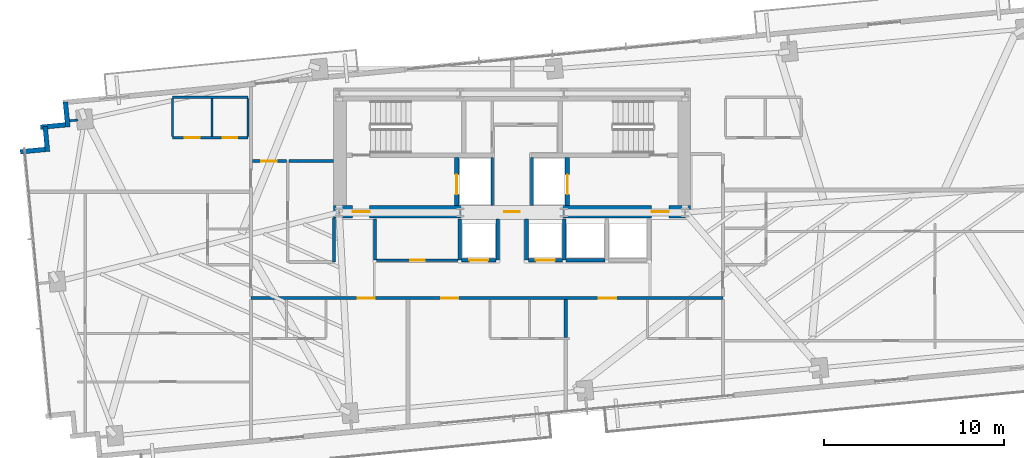
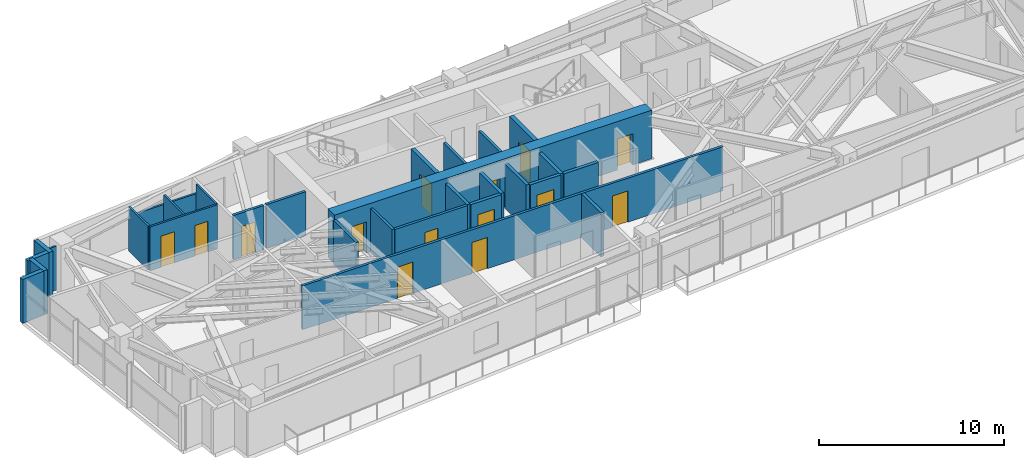
# One storey, part 22 of 27: 29 walls, 14 doors, 14 openings.
"""IFC4 building model written with IfcOpenShell, lengths in metres."""

from ifc_helpers import new_model, si_unit, direction, frame, frame_2d, origin, place, context, subcontext, project, spatial, rectangle, extrude, source, transform, mapped, material, layer, layer_set, type_object, type_shapes, element, fill, save


model = new_model("IFC4")

# Units and contexts
model_context = context("Model", 3, precision=1e-05, world=origin(), true_north=direction((0.0, 1.0)))
body_context = subcontext(model_context, "Body", "Model", "MODEL_VIEW")
ifc_project = project(units=[si_unit("LENGTHUNIT", "METRE"), si_unit("AREAUNIT", "SQUARE_METRE"), si_unit("VOLUMEUNIT", "CUBIC_METRE"), si_unit("PLANEANGLEUNIT", "RADIAN"), si_unit("MASSUNIT", "GRAM", prefix="KILO")], contexts=[model_context])

# Site, building, storey
site_placement = place(None, origin())
site = spatial("IfcSite", under=ifc_project, at=site_placement, CompositionType="ELEMENT")
building_placement = place(site_placement, origin())
building = spatial("IfcBuilding", under=site, at=building_placement, Name="Astriad Promenade Condominiums", CompositionType="ELEMENT")
storey_placement = place(building_placement, frame((0.0, 0.0, 116.199951171875)))
storey = spatial("IfcBuildingStorey", under=building, at=storey_placement, Name="L33", CompositionType="ELEMENT", Elevation=116.199951171875)

# Wall, openings, doors
ifc_material_1 = material(Name="Concrete C60/75", Category="concrete")
ifc_layer_1 = layer(ifc_material_1, 0.699951171875)
ifc_layer_set_1 = layer_set([ifc_layer_1], Name="Concrete C60/75")
wall_type_1 = type_object("IfcWallType", Name="CW-SHEAR-700", PredefinedType="SHEAR", material=ifc_layer_set_1)
wall_1_placement = place(storey_placement, frame((26.10009765625, 17.449951171875, 0.0), z_axis=(0.0, 0.0, 1.0), x_axis=(1.0, 0.0, 0.0)))
wall_1 = element("IfcWall", 1, at=wall_1_placement, inside=storey, type_object=wall_type_1, Name="CW-CORE-S-L33", PredefinedType="SHEAR", context=body_context, shape_type="SweptSolid", body=[
    extrude(rectangle(XDim=19.7998046875, YDim=0.699951171875, at=frame_2d((9.89990234375, 0.0))), origin(), (0.0, 0.0, 1.0), 3.199951171875),
])
opening_1_placement = place(wall_1_placement, frame((1.050048828125, 0.0, 0.0)))
opening_1 = element("IfcOpeningElement", 2, at=opening_1_placement, cuts=wall_1, Name="Opening FD90-ST-095", PredefinedType="OPENING", context=body_context, shape_type="SweptSolid", body=[
    extrude(rectangle(XDim=0.949951171875, YDim=2.06005859375, at=frame_2d((0.47509765625, 1.030029296875))), frame((0.0, 0.35986328125, 0.0), z_axis=(0.0, -1.0, 0.0), x_axis=(1.0, 0.0, 0.0)), (0.0, 0.0, 1.0), 0.719970703125),
])
opening_2_placement = place(wall_1_placement, frame((9.47998046875, 0.0, 0.0)))
opening_2 = element("IfcOpeningElement", 3, at=opening_2_placement, cuts=wall_1, Name="Opening FD60-ULOW-085", PredefinedType="OPENING", context=body_context, shape_type="SweptSolid", body=[
    extrude(rectangle(XDim=0.85009765625, YDim=2.0, at=frame_2d((0.425048828125, 1.0))), frame((0.0, 0.35986328125, 0.0), z_axis=(0.0, -1.0, 0.0), x_axis=(1.0, 0.0, 0.0)), (0.0, 0.0, 1.0), 0.719970703125),
])
opening_3_placement = place(wall_1_placement, frame((17.64990234375, 0.0, 0.0)))
opening_3 = element("IfcOpeningElement", 4, at=opening_3_placement, cuts=wall_1, Name="Opening FD90-ST-095", PredefinedType="OPENING", context=body_context, shape_type="SweptSolid", body=[
    extrude(rectangle(XDim=0.949951171875, YDim=2.06005859375, at=frame_2d((0.47509765625, 1.030029296875))), frame((0.0, 0.35986328125, 0.0), z_axis=(0.0, -1.0, 0.0), x_axis=(1.0, 0.0, 0.0)), (0.0, 0.0, 1.0), 0.719970703125),
])
ifc_material_2 = material(Name="Fire-Rated Hollow Metal Stair Door")
door_type_1 = type_object("IfcDoorType", Name="FD90-ST-095", OperationType="NOTDEFINED", PredefinedType="DOOR", material=ifc_material_2)
shared_shape_1 = source(origin(), body_context, "Body", "SweptSolid", [
    extrude(rectangle(XDim=0.949951171875, YDim=2.06005859375, at=frame_2d((0.47509765625, 1.030029296875))), frame((0.0, 0.02490234375, 0.0), z_axis=(0.0, -1.0, 0.0), x_axis=(1.0, 0.0, 0.0)), (0.0, 0.0, 1.0), 0.050048828125),
])
type_shapes(door_type_1, [shared_shape_1])
door_1_placement = place(opening_1_placement, origin())
door_1 = element("IfcDoor", 5, at=door_1_placement, inside=storey, type_object=door_type_1, Name="D-FFW-L33", OperationType="SINGLE_SWING_LEFT", OverallHeight=2.06005859375, OverallWidth=0.949951171875, PredefinedType="DOOR", context=body_context, shape_type="MappedRepresentation", body=[
    mapped(shared_shape_1, transform((0.0, 0.0, 0.0), scale=1.0)),
])
fill(opening_1, door_1)
door_2_placement = place(opening_3_placement, origin())
door_2 = element("IfcDoor", 6, at=door_2_placement, inside=storey, type_object=door_type_1, Name="D-FFE-L33", OperationType="SINGLE_SWING_RIGHT", OverallHeight=2.06005859375, OverallWidth=0.949951171875, PredefinedType="DOOR", context=body_context, shape_type="MappedRepresentation", body=[
    mapped(shared_shape_1, transform((0.0, 0.0, 0.0), scale=1.0)),
])
fill(opening_3, door_2)
ifc_material_3 = material(Name="Solid-Core Low-Headroom Fire Door")
door_type_2 = type_object("IfcDoorType", Name="FD60-ULOW-085", OperationType="NOTDEFINED", PredefinedType="DOOR", material=ifc_material_3)
shared_shape_2 = source(origin(), body_context, "Body", "SweptSolid", [
    extrude(rectangle(XDim=0.85009765625, YDim=2.0, at=frame_2d((0.425048828125, 1.0))), frame((0.0, 0.02490234375, 0.0), z_axis=(0.0, -1.0, 0.0), x_axis=(1.0, 0.0, 0.0)), (0.0, 0.0, 1.0), 0.050048828125),
])
type_shapes(door_type_2, [shared_shape_2])
door_3_placement = place(opening_2_placement, origin())
door_3 = element("IfcDoor", 7, at=door_3_placement, inside=storey, type_object=door_type_2, Name="D-CSL-L33", OperationType="SINGLE_SWING_RIGHT", OverallHeight=2.0, OverallWidth=0.85009765625, PredefinedType="DOOR", context=body_context, shape_type="MappedRepresentation", body=[
    mapped(shared_shape_2, transform((0.0, 0.0, 0.0), scale=1.0)),
])
fill(opening_2, door_3)

# Wall, opening, door
ifc_material_4 = material(Name="Concrete C50/60", Category="concrete")
ifc_layer_2 = layer(ifc_material_4, 0.25)
ifc_layer_set_2 = layer_set([ifc_layer_2], Name="Concrete C50/60")
wall_type_2 = type_object("IfcWallType", Name="WALL-CORE-INT-250", PredefinedType="SOLIDWALL", material=ifc_layer_set_2)
wall_2_placement = place(storey_placement, frame((32.925048828125, 17.802001953125, 0.0), z_axis=(0.0, 0.0, 1.0), x_axis=(0.0, 1.0, 0.0)))
wall_2 = element("IfcWall", 8, at=wall_2_placement, inside=storey, type_object=wall_type_2, Name="CW-FFL1-W-L33", PredefinedType="SOLIDWALL", context=body_context, shape_type="SweptSolid", body=[
    extrude(rectangle(XDim=2.64599609375, YDim=0.25, at=frame_2d((1.322998046875, 0.0))), origin(), (0.0, 0.0, 1.0), 3.199951171875),
])
opening_4_placement = place(wall_2_placement, frame((0.597900390625, 0.0, 0.0)))
opening_4 = element("IfcOpeningElement", 9, at=opening_4_placement, cuts=wall_2, Name="Opening LD-FFL-1122", PredefinedType="OPENING", context=body_context, shape_type="SweptSolid", body=[
    extrude(rectangle(XDim=1.10009765625, YDim=2.080078125, at=frame_2d((0.550048828125, 1.0400390625))), frame((0.0, 0.135009765625, 0.0), z_axis=(0.0, -1.0, 0.0), x_axis=(1.0, 0.0, 0.0)), (0.0, 0.0, 1.0), 0.27001953125),
])
ifc_material_5 = material(Name="Brushed Stainless Steel Fire Elevator Landing Door", Category="steel")
door_type_3 = type_object("IfcDoorType", Name="LD-FFL-1122", OperationType="NOTDEFINED", PredefinedType="DOOR", material=ifc_material_5)
shared_shape_3 = source(origin(), body_context, "Body", "SweptSolid", [
    extrude(rectangle(XDim=1.10009765625, YDim=2.080078125, at=frame_2d((0.550048828125, 1.0400390625))), frame((0.0, 0.02490234375, 0.0), z_axis=(0.0, -1.0, 0.0), x_axis=(1.0, 0.0, 0.0)), (0.0, 0.0, 1.0), 0.050048828125),
])
type_shapes(door_type_3, [shared_shape_3])
door_4_placement = place(opening_4_placement, origin())
door_4 = element("IfcDoor", 10, at=door_4_placement, inside=storey, type_object=door_type_3, Name="Elevator Landing Door FFL-1 (L33)", OperationType="SLIDING_TO_LEFT", OverallHeight=2.080078125, OverallWidth=1.10009765625, PredefinedType="DOOR", context=body_context, shape_type="MappedRepresentation", body=[
    mapped(shared_shape_3, transform((0.0, 0.0, 0.0), scale=1.0)),
])
fill(opening_4, door_4)

wall_3_placement = place(storey_placement, frame((39.074951171875, 17.802001953125, 0.0), z_axis=(0.0, 0.0, 1.0), x_axis=(0.0, 1.0, 0.0)))
wall_3 = element("IfcWall", 11, at=wall_3_placement, inside=storey, type_object=wall_type_2, Name="CW-FFL2-E-L33", PredefinedType="SOLIDWALL", context=body_context, shape_type="SweptSolid", body=[
    extrude(rectangle(XDim=2.64599609375, YDim=0.25, at=frame_2d((1.322998046875, 0.0))), origin(), (0.0, 0.0, 1.0), 3.199951171875),
])
opening_5_placement = place(wall_3_placement, frame((0.597900390625, 0.0, 0.0)))
opening_5 = element("IfcOpeningElement", 12, at=opening_5_placement, cuts=wall_3, Name="Opening LD-FFL-1122", PredefinedType="OPENING", context=body_context, shape_type="SweptSolid", body=[
    extrude(rectangle(XDim=1.10009765625, YDim=2.080078125, at=frame_2d((0.550048828125, 1.0400390625))), frame((0.0, 0.135009765625, 0.0), z_axis=(0.0, -1.0, 0.0), x_axis=(1.0, 0.0, 0.0)), (0.0, 0.0, 1.0), 0.27001953125),
])
door_5_placement = place(opening_5_placement, origin())
door_5 = element("IfcDoor", 13, at=door_5_placement, inside=storey, type_object=door_type_3, Name="Elevator Landing Door FFL-2 (L33)", OperationType="SLIDING_TO_RIGHT", OverallHeight=2.080078125, OverallWidth=1.10009765625, PredefinedType="DOOR", context=body_context, shape_type="MappedRepresentation", body=[
    mapped(shared_shape_3, transform((0.0, 0.0, 0.0), scale=1.0)),
])
fill(opening_5, door_5)

# Walls
ifc_material_6 = material(Name="Fire-Rated Gypsum Partition")
ifc_layer_3 = layer(ifc_material_6, 0.159912109375)
ifc_layer_set_3 = layer_set([ifc_layer_3], Name="Fire-Rated Gypsum Partition")
wall_type_3 = type_object("IfcWallType", Name="WALL-CORR-160", PredefinedType="PARTITIONING", material=ifc_layer_set_3)
for number, where, z_axis, x_axis, name in (
    (14, (34.89990234375, 17.802001953125, 0.0), (0.0, 0.0, 1.0), (0.0, 1.0, 0.0), "CW-FFL1-E-L33"),
    (15, (37.10009765625, 17.802001953125, 0.0), (0.0, 0.0, 1.0), (0.0, 1.0, 0.0), "CW-FFL2-W-L33"),
):
    element("IfcWall", number, at=place(storey_placement, frame(where, z_axis=z_axis, x_axis=x_axis)), inside=storey, type_object=wall_type_3, Name=name, PredefinedType="PARTITIONING", context=body_context, shape_type="SweptSolid", body=[
        extrude(rectangle(XDim=2.64599609375, YDim=0.159912109375, at=frame_2d((1.322998046875, 0.0))), origin(), (0.0, 0.0, 1.0), 2.900146484375),
    ])
wall_4_placement = place(storey_placement, frame((28.39990234375, 14.75, 0.0), z_axis=(0.0, 0.0, 1.0), x_axis=(0.0, 1.0, 0.0)))
element("IfcWall", 16, at=wall_4_placement, inside=storey, type_object=wall_type_3, Name="REC-L-W-L33", PredefinedType="PARTITIONING", context=body_context, shape_type="SweptSolid", body=[
    extrude(rectangle(XDim=2.300048828125, YDim=0.159912109375, at=frame_2d((1.14990234375, 0.0))), origin(), (0.0, 0.0, 1.0), 2.900146484375),
])

# Wall, opening, door
wall_5_placement = place(storey_placement, frame((28.48193359375, 14.75, 0.0), z_axis=(0.0, 0.0, 1.0), x_axis=(1.0, 0.0, 0.0)))
wall_5 = element("IfcWall", 17, at=wall_5_placement, inside=storey, type_object=wall_type_3, Name="REC-L-S-L33", PredefinedType="PARTITIONING", context=body_context, shape_type="SweptSolid", body=[
    extrude(rectangle(XDim=4.51611328125, YDim=0.159912109375, at=frame_2d((2.258056640625, 0.0))), origin(), (0.0, 0.0, 1.0), 2.900146484375),
])
opening_6_placement = place(wall_5_placement, frame((1.867919921875, 0.0, 0.0)))
opening_6 = element("IfcOpeningElement", 18, at=opening_6_placement, cuts=wall_5, Name="Opening FD60-SV-080", PredefinedType="OPENING", context=body_context, shape_type="SweptSolid", body=[
    extrude(rectangle(XDim=0.800048828125, YDim=2.050048828125, at=frame_2d((0.39990234375, 1.02490234375))), frame((0.0, 0.08984375, 0.0), z_axis=(0.0, -1.0, 0.0), x_axis=(1.0, 0.0, 0.0)), (0.0, 0.0, 1.0), 0.179931640625),
])
ifc_material_7 = material(Name="Fire-Rated Riser Closet Door")
door_type_4 = type_object("IfcDoorType", Name="FD60-SV-080", OperationType="NOTDEFINED", PredefinedType="DOOR", material=ifc_material_7)
shared_shape_4 = source(origin(), body_context, "Body", "SweptSolid", [
    extrude(rectangle(XDim=0.800048828125, YDim=2.050048828125, at=frame_2d((0.39990234375, 1.02490234375))), frame((0.0, 0.02490234375, 0.0), z_axis=(0.0, -1.0, 0.0), x_axis=(1.0, 0.0, 0.0)), (0.0, 0.0, 1.0), 0.050048828125),
])
type_shapes(door_type_4, [shared_shape_4])
door_6_placement = place(opening_6_placement, origin())
door_6 = element("IfcDoor", 19, at=door_6_placement, inside=storey, type_object=door_type_4, Name="D-RECL-L33", OperationType="SINGLE_SWING_LEFT", OverallHeight=2.050048828125, OverallWidth=0.800048828125, PredefinedType="DOOR", context=body_context, shape_type="MappedRepresentation", body=[
    mapped(shared_shape_4, transform((0.0, 0.0, 0.0), scale=1.0)),
])
fill(opening_6, door_6)

# Wall, openings, doors
wall_6_placement = place(storey_placement, frame((21.5, 12.64990234375, 0.0), z_axis=(0.0, 0.0, 1.0), x_axis=(1.0, 0.0, 0.0)))
wall_6 = element("IfcWall", 20, at=wall_6_placement, inside=storey, type_object=wall_type_3, Name="PT-COR-S-L33", PredefinedType="PARTITIONING", context=body_context, shape_type="SweptSolid", body=[
    extrude(rectangle(XDim=26.199951171875, YDim=0.159912109375, at=frame_2d((13.10009765625, 0.0))), origin(), (0.0, 0.0, 1.0), 2.900146484375),
])
opening_7_placement = place(wall_6_placement, frame((5.927001953125, 0.0, 0.0)))
opening_7 = element("IfcOpeningElement", 21, at=opening_7_placement, cuts=wall_6, Name="Opening FD60-APT-095", PredefinedType="OPENING", context=body_context, shape_type="SweptSolid", body=[
    extrude(rectangle(XDim=0.949951171875, YDim=2.06005859375, at=frame_2d((0.47509765625, 1.030029296875))), frame((0.0, 0.08984375, 0.0), z_axis=(0.0, -1.0, 0.0), x_axis=(1.0, 0.0, 0.0)), (0.0, 0.0, 1.0), 0.179931640625),
])
opening_8_placement = place(wall_6_placement, frame((10.574951171875, 0.0, 0.0)))
opening_8 = element("IfcOpeningElement", 22, at=opening_8_placement, cuts=wall_6, Name="Opening FD60-APT-095", PredefinedType="OPENING", context=body_context, shape_type="SweptSolid", body=[
    extrude(rectangle(XDim=0.949951171875, YDim=2.06005859375, at=frame_2d((0.47509765625, 1.030029296875))), frame((0.0, 0.08984375, 0.0), z_axis=(0.0, -1.0, 0.0), x_axis=(1.0, 0.0, 0.0)), (0.0, 0.0, 1.0), 0.179931640625),
])
opening_9_placement = place(wall_6_placement, frame((19.322021484375, 0.0, 0.0)))
opening_9 = element("IfcOpeningElement", 23, at=opening_9_placement, cuts=wall_6, Name="Opening FD60-APT-095", PredefinedType="OPENING", context=body_context, shape_type="SweptSolid", body=[
    extrude(rectangle(XDim=0.949951171875, YDim=2.06005859375, at=frame_2d((0.47509765625, 1.030029296875))), frame((0.0, 0.08984375, 0.0), z_axis=(0.0, -1.0, 0.0), x_axis=(1.0, 0.0, 0.0)), (0.0, 0.0, 1.0), 0.179931640625),
])
ifc_material_8 = material(Name="Solid-Core Acoustic Timber Residence Entry Door", Category="wood")
door_type_5 = type_object("IfcDoorType", Name="FD60-APT-095", OperationType="NOTDEFINED", PredefinedType="DOOR", material=ifc_material_8)
shared_shape_5 = source(origin(), body_context, "Body", "SweptSolid", [
    extrude(rectangle(XDim=0.949951171875, YDim=2.06005859375, at=frame_2d((0.47509765625, 1.030029296875))), frame((0.0, 0.02490234375, 0.0), z_axis=(0.0, -1.0, 0.0), x_axis=(1.0, 0.0, 0.0)), (0.0, 0.0, 1.0), 0.050048828125),
])
type_shapes(door_type_5, [shared_shape_5])
door_7_placement = place(opening_7_placement, origin())
door_7 = element("IfcDoor", 24, at=door_7_placement, inside=storey, type_object=door_type_5, Name="D-ENT-L33-S1", OperationType="SINGLE_SWING_RIGHT", OverallHeight=2.06005859375, OverallWidth=0.949951171875, PredefinedType="DOOR", context=body_context, shape_type="MappedRepresentation", body=[
    mapped(shared_shape_5, transform((0.0, 0.0, 0.0), scale=1.0)),
])
fill(opening_7, door_7)
door_8_placement = place(opening_8_placement, origin())
door_8 = element("IfcDoor", 25, at=door_8_placement, inside=storey, type_object=door_type_5, Name="D-ENT-L33-S2", OperationType="SINGLE_SWING_LEFT", OverallHeight=2.06005859375, OverallWidth=0.949951171875, PredefinedType="DOOR", context=body_context, shape_type="MappedRepresentation", body=[
    mapped(shared_shape_5, transform((0.0, 0.0, 0.0), scale=1.0)),
])
fill(opening_8, door_8)
door_9_placement = place(opening_9_placement, origin())
door_9 = element("IfcDoor", 26, at=door_9_placement, inside=storey, type_object=door_type_5, Name="D-ENT-L33-S3", OperationType="SINGLE_SWING_RIGHT", OverallHeight=2.06005859375, OverallWidth=0.949951171875, PredefinedType="DOOR", context=body_context, shape_type="MappedRepresentation", body=[
    mapped(shared_shape_5, transform((0.0, 0.0, 0.0), scale=1.0)),
])
fill(opening_9, door_9)

# Wall, opening, door
wall_7_placement = place(storey_placement, frame((21.58203125, 20.25, 0.0), z_axis=(0.0, 0.0, 1.0), x_axis=(1.0, 0.0, 0.0)))
wall_7 = element("IfcWall", 27, at=wall_7_placement, inside=storey, type_object=wall_type_3, Name="PT-HK-N-L33", PredefinedType="PARTITIONING", context=body_context, shape_type="SweptSolid", body=[
    extrude(rectangle(XDim=1.885986328125, YDim=0.159912109375, at=frame_2d((0.94287109375, 0.0))), origin(), (0.0, 0.0, 1.0), 2.900146484375),
])
opening_10_placement = place(wall_7_placement, frame((0.508056640625, 0.0, 0.0)))
opening_10 = element("IfcOpeningElement", 28, at=opening_10_placement, cuts=wall_7, Name="Opening FD60-ULOW-085", PredefinedType="OPENING", context=body_context, shape_type="SweptSolid", body=[
    extrude(rectangle(XDim=0.85009765625, YDim=2.0, at=frame_2d((0.425048828125, 1.0))), frame((0.0, 0.08984375, 0.0), z_axis=(0.0, -1.0, 0.0), x_axis=(1.0, 0.0, 0.0)), (0.0, 0.0, 1.0), 0.179931640625),
])
door_10_placement = place(opening_10_placement, origin())
door_10 = element("IfcDoor", 29, at=door_10_placement, inside=storey, type_object=door_type_2, Name="D-HKB-L33", OperationType="SINGLE_SWING_LEFT", OverallHeight=2.0, OverallWidth=0.85009765625, PredefinedType="DOOR", context=body_context, shape_type="MappedRepresentation", body=[
    mapped(shared_shape_2, transform((0.0, 0.0, 0.0), scale=1.0)),
])
fill(opening_10, door_10)

# Walls
wall_8_placement = place(storey_placement, frame((23.632080078125, 20.25, 0.0), z_axis=(0.0, 0.0, 1.0), x_axis=(1.0, 0.0, 0.0)))
element("IfcWall", 30, at=wall_8_placement, inside=storey, type_object=wall_type_3, Name="PT-HK-N-L33-S2", PredefinedType="PARTITIONING", context=body_context, shape_type="SweptSolid", body=[
    extrude(rectangle(XDim=2.4658203125, YDim=0.159912109375, at=frame_2d((1.23291015625, 0.0))), origin(), (0.0, 0.0, 1.0), 2.900146484375),
])
wall_9_placement = place(storey_placement, frame((26.1201171875, 14.659912109375, 0.0), z_axis=(0.0, 0.0, 1.0), x_axis=(0.0, 1.0, 0.0)))
element("IfcWall", 31, at=wall_9_placement, inside=storey, type_object=wall_type_3, Name="PT-WSPUR-W-L33", PredefinedType="PARTITIONING", context=body_context, shape_type="SweptSolid", body=[
    extrude(rectangle(XDim=2.43798828125, YDim=0.159912109375, at=frame_2d((1.218994140625, 0.0))), origin(), (0.0, 0.0, 1.0), 2.900146484375),
])
ifc_material_9 = material(Name="Acoustic Double-Stud Gypsum Partition")
ifc_layer_4 = layer(ifc_material_9, 0.199951171875)
ifc_layer_set_4 = layer_set([ifc_layer_4], Name="Acoustic Double-Stud Gypsum Partition")
wall_type_4 = type_object("IfcWallType", Name="WALL-DEMISING-200", PredefinedType="PARTITIONING", material=ifc_layer_set_4)
wall_10_placement = place(storey_placement, frame((38.97509765625, 10.4619140625, 0.0), z_axis=(0.0, 0.0, 1.0), x_axis=(0.0, 1.0, 0.0)))
element("IfcWall", 32, at=wall_10_placement, inside=storey, type_object=wall_type_4, Name="PT-DEM-S2-L33-S2", PredefinedType="PARTITIONING", context=body_context, shape_type="SweptSolid", body=[
    extrude(rectangle(XDim=2.106201171875, YDim=0.199951171875, at=frame_2d((1.05322265625, 0.0))), origin(), (0.0, 0.0, 1.0), 2.900146484375),
])
ifc_material_10 = material(Name="Precast concrete C50/60", Category="concrete")
ifc_layer_5 = layer(ifc_material_10, 0.260009765625)
ifc_layer_set_5 = layer_set([ifc_layer_5], Name="Precast concrete C50/60")
wall_type_5 = type_object("IfcWallType", Name="WALL-EXT-TWR-260", PredefinedType="STANDARD", material=ifc_layer_set_5)
for number, where, z_axis, x_axis, name in (
    (33, (8.701416015625, 20.767333984375, 0.0), (0.0, 0.0, 1.0), (0.995391056452, 0.09589913835, 0.0), "W-SER-L33-04"),
    (34, (10.216796875, 20.78271484375, 0.0), (0.0, 0.0, 1.0), (-0.095725744959, 0.99540774648, 0.0), "W-SER-L33-05"),
):
    element("IfcWall", number, at=place(storey_placement, frame(where, z_axis=z_axis, x_axis=x_axis)), inside=storey, type_object=wall_type_5, Name=name, PredefinedType="STANDARD", context=body_context, shape_type="SweptSolid", body=[
        extrude(rectangle(XDim=1.39501953125, YDim=0.260009765625, at=frame_2d((0.697509765625, 0.0))), origin(), (0.0, 0.0, 1.0), 2.900146484375),
    ])
wall_11_placement = place(storey_placement, frame((9.825927734375, 22.13134765625, 0.0), z_axis=(0.0, 0.0, 1.0), x_axis=(0.995389446633, 0.095915846097, 0.0)))
element("IfcWall", 35, at=wall_11_placement, inside=storey, type_object=wall_type_5, Name="W-SER-L33-06", PredefinedType="STANDARD", context=body_context, shape_type="SweptSolid", body=[
    extrude(rectangle(XDim=1.394775390625, YDim=0.260009765625, at=frame_2d((0.697265625, 0.0))), origin(), (0.0, 0.0, 1.0), 2.900146484375),
])
wall_12_placement = place(storey_placement, frame((11.34130859375, 22.146728515625, 0.0), z_axis=(0.0, 0.0, 1.0), x_axis=(-0.09589913835, 0.995391056452, 0.0)))
element("IfcWall", 36, at=wall_12_placement, inside=storey, type_object=wall_type_5, Name="W-SER-L33-07", PredefinedType="STANDARD", context=body_context, shape_type="SweptSolid", body=[
    extrude(rectangle(XDim=1.39501953125, YDim=0.260009765625, at=frame_2d((0.697509765625, 0.0))), origin(), (0.0, 0.0, 1.0), 2.900146484375),
])

# Wall, openings, doors
ifc_material_11 = material(Name="Acoustic Metal-Stud Gypsum Partition")
ifc_layer_6 = layer(ifc_material_11, 0.1201171875)
ifc_layer_set_6 = layer_set([ifc_layer_6], Name="Acoustic Metal-Stud Gypsum Partition")
wall_type_6 = type_object("IfcWallType", Name="WALL-PART-120", PredefinedType="PARTITIONING", material=ifc_layer_set_6)
wall_13_placement = place(storey_placement, frame((17.14990234375, 21.550048828125, 0.0), z_axis=(0.0, 0.0, 1.0), x_axis=(1.0, 0.0, 0.0)))
wall_13 = element("IfcWall", 37, at=wall_13_placement, inside=storey, type_object=wall_type_6, Name="PT-L33-W2-PH", PredefinedType="PARTITIONING", context=body_context, shape_type="SweptSolid", body=[
    extrude(rectangle(XDim=4.2001953125, YDim=0.1201171875, at=frame_2d((2.10009765625, 0.0))), origin(), (0.0, 0.0, 1.0), 2.900146484375),
])
opening_11_placement = place(wall_13_placement, frame((0.675048828125, 0.0, 0.0)))
opening_11 = element("IfcOpeningElement", 38, at=opening_11_placement, cuts=wall_13, Name="Opening D-INT-085", PredefinedType="OPENING", context=body_context, shape_type="SweptSolid", body=[
    extrude(rectangle(XDim=0.85009765625, YDim=2.050048828125, at=frame_2d((0.425048828125, 1.02490234375))), frame((0.0, 0.070068359375, 0.0), z_axis=(0.0, -1.0, 0.0), x_axis=(1.0, 0.0, 0.0)), (0.0, 0.0, 1.0), 0.14013671875),
])
opening_12_placement = place(wall_13_placement, frame((2.800048828125, 0.0, 0.0)))
opening_12 = element("IfcOpeningElement", 39, at=opening_12_placement, cuts=wall_13, Name="Opening D-WET-080", PredefinedType="OPENING", context=body_context, shape_type="SweptSolid", body=[
    extrude(rectangle(XDim=0.800048828125, YDim=2.02001953125, at=frame_2d((0.39990234375, 1.010009765625))), frame((0.0, 0.070068359375, 0.0), z_axis=(0.0, -1.0, 0.0), x_axis=(1.0, 0.0, 0.0)), (0.0, 0.0, 1.0), 0.14013671875),
])
ifc_material_12 = material(Name="Moisture-Resistant Timber Bathroom Door", Category="wood")
door_type_6 = type_object("IfcDoorType", Name="D-WET-080", OperationType="NOTDEFINED", PredefinedType="DOOR", material=ifc_material_12)
shared_shape_6 = source(origin(), body_context, "Body", "SweptSolid", [
    extrude(rectangle(XDim=0.800048828125, YDim=2.02001953125, at=frame_2d((0.39990234375, 1.010009765625))), frame((0.0, 0.02490234375, 0.0), z_axis=(0.0, -1.0, 0.0), x_axis=(1.0, 0.0, 0.0)), (0.0, 0.0, 1.0), 0.050048828125),
])
type_shapes(door_type_6, [shared_shape_6])
door_11_placement = place(opening_12_placement, origin())
door_11 = element("IfcDoor", 40, at=door_11_placement, inside=storey, type_object=door_type_6, Name="D-BTH-L33-W2", OperationType="SINGLE_SWING_LEFT", OverallHeight=2.02001953125, OverallWidth=0.800048828125, PredefinedType="DOOR", context=body_context, shape_type="MappedRepresentation", body=[
    mapped(shared_shape_6, transform((0.0, 0.0, 0.0), scale=1.0)),
])
fill(opening_12, door_11)
ifc_material_13 = material(Name="Painted Solid-Core Timber Room Door", Category="wood")
door_type_7 = type_object("IfcDoorType", Name="D-INT-085", OperationType="NOTDEFINED", PredefinedType="DOOR", material=ifc_material_13)
shared_shape_7 = source(origin(), body_context, "Body", "SweptSolid", [
    extrude(rectangle(XDim=0.85009765625, YDim=2.050048828125, at=frame_2d((0.425048828125, 1.02490234375))), frame((0.0, 0.02490234375, 0.0), z_axis=(0.0, -1.0, 0.0), x_axis=(1.0, 0.0, 0.0)), (0.0, 0.0, 1.0), 0.050048828125),
])
type_shapes(door_type_7, [shared_shape_7])
door_12_placement = place(opening_11_placement, origin())
door_12 = element("IfcDoor", 41, at=door_12_placement, inside=storey, type_object=door_type_7, Name="D-KIT-L33-W2", OperationType="SINGLE_SWING_RIGHT", OverallHeight=2.050048828125, OverallWidth=0.85009765625, PredefinedType="DOOR", context=body_context, shape_type="MappedRepresentation", body=[
    mapped(shared_shape_7, transform((0.0, 0.0, 0.0), scale=1.0)),
])
fill(opening_11, door_12)

# Walls
wall_14_placement = place(storey_placement, frame((17.14990234375, 23.800048828125, 0.0), z_axis=(0.0, 0.0, 1.0), x_axis=(1.0, 0.0, 0.0)))
element("IfcWall", 42, at=wall_14_placement, inside=storey, type_object=wall_type_6, Name="PT-L33-W2-PHN", PredefinedType="PARTITIONING", context=body_context, shape_type="SweptSolid", body=[
    extrude(rectangle(XDim=4.2001953125, YDim=0.1201171875, at=frame_2d((2.10009765625, 0.0))), origin(), (0.0, 0.0, 1.0), 2.27001953125),
])
for number, where, z_axis, x_axis, name in (
    (43, (17.14990234375, 21.612060546875, 0.0), (0.0, 0.0, 1.0), (0.0, 1.0, 0.0), "PT-L33-W2-PK1"),
    (44, (19.35009765625, 21.612060546875, 0.0), (0.0, 0.0, 1.0), (0.0, 1.0, 0.0), "PT-L33-W2-PK2"),
    (45, (21.35009765625, 21.612060546875, 0.0), (0.0, 0.0, 1.0), (0.0, 1.0, 0.0), "PT-L33-W2-PK3"),
):
    element("IfcWall", number, at=place(storey_placement, frame(where, z_axis=z_axis, x_axis=x_axis)), inside=storey, type_object=wall_type_6, Name=name, PredefinedType="PARTITIONING", context=body_context, shape_type="SweptSolid", body=[
        extrude(rectangle(XDim=2.1259765625, YDim=0.1201171875, at=frame_2d((1.06298828125, 0.0))), origin(), (0.0, 0.0, 1.0), 2.900146484375),
    ])
wall_15_placement = place(storey_placement, frame((11.89697265625, 22.53173828125, 0.0), z_axis=(0.0, 0.0, 1.0), x_axis=(-0.995384576284, -0.09596637586, 0.0)))
element("IfcWall", 46, at=wall_15_placement, inside=storey, type_object=wall_type_6, Name="PT-PIL-L33-PC06-13", PredefinedType="PARTITIONING", context=body_context, shape_type="SweptSolid", body=[
    extrude(rectangle(XDim=0.4580078125, YDim=0.1201171875, at=frame_2d((0.22900390625, 0.0))), origin(), (0.0, 0.0, 1.0), 2.900146484375),
])
ifc_material_14 = material(Name="Gypsum Shaftliner Assembly")
ifc_layer_7 = layer(ifc_material_14, 0.199951171875)
ifc_layer_set_7 = layer_set([ifc_layer_7], Name="Gypsum Shaftliner Assembly")
wall_type_7 = type_object("IfcWallType", Name="WALL-SHAFT-200", PredefinedType="PARTITIONING", material=ifc_layer_set_7)
for number, where, z_axis, x_axis, name in (
    (47, (33.10009765625, 14.75, 0.0), (0.0, 0.0, 1.0), (0.0, 1.0, 0.0), "REC-L-E-L33"),
    (48, (35.199951171875, 14.75, 0.0), (0.0, 0.0, 1.0), (0.0, 1.0, 0.0), "PL-M1-E-L33"),
):
    element("IfcWall", number, at=place(storey_placement, frame(where, z_axis=z_axis, x_axis=x_axis)), inside=storey, type_object=wall_type_7, Name=name, PredefinedType="PARTITIONING", context=body_context, shape_type="SweptSolid", body=[
        extrude(rectangle(XDim=2.300048828125, YDim=0.199951171875, at=frame_2d((1.14990234375, 0.0))), origin(), (0.0, 0.0, 1.0), 2.900146484375),
    ])

# Wall, opening, door
wall_16_placement = place(storey_placement, frame((33.201904296875, 14.75, 0.0), z_axis=(0.0, 0.0, 1.0), x_axis=(1.0, 0.0, 0.0)))
wall_16 = element("IfcWall", 49, at=wall_16_placement, inside=storey, type_object=wall_type_7, Name="PL-M1-F-L33", PredefinedType="PARTITIONING", context=body_context, shape_type="SweptSolid", body=[
    extrude(rectangle(XDim=1.89599609375, YDim=0.199951171875, at=frame_2d((0.947998046875, 0.0))), origin(), (0.0, 0.0, 1.0), 2.900146484375),
])
opening_13_placement = place(wall_16_placement, frame((0.423095703125, 0.0, 0.0)))
opening_13 = element("IfcOpeningElement", 50, at=opening_13_placement, cuts=wall_16, Name="Opening LD-PL-10522", PredefinedType="OPENING", context=body_context, shape_type="SweptSolid", body=[
    extrude(rectangle(XDim=1.050048828125, YDim=2.080078125, at=frame_2d((0.52490234375, 1.0400390625))), frame((0.0, 0.10986328125, 0.0), z_axis=(0.0, -1.0, 0.0), x_axis=(1.0, 0.0, 0.0)), (0.0, 0.0, 1.0), 0.219970703125),
])
ifc_material_15 = material(Name="Brushed Bronze Passenger Elevator Landing Door")
door_type_8 = type_object("IfcDoorType", Name="LD-PL-10522", OperationType="NOTDEFINED", PredefinedType="DOOR", material=ifc_material_15)
shared_shape_8 = source(origin(), body_context, "Body", "SweptSolid", [
    extrude(rectangle(XDim=1.050048828125, YDim=2.080078125, at=frame_2d((0.52490234375, 1.0400390625))), frame((0.0, 0.02490234375, 0.0), z_axis=(0.0, -1.0, 0.0), x_axis=(1.0, 0.0, 0.0)), (0.0, 0.0, 1.0), 0.050048828125),
])
type_shapes(door_type_8, [shared_shape_8])
door_13_placement = place(opening_13_placement, origin())
door_13 = element("IfcDoor", 51, at=door_13_placement, inside=storey, type_object=door_type_8, Name="Elevator Landing Door PL-M1 (L33)", OperationType="SLIDING_TO_LEFT", OverallHeight=2.080078125, OverallWidth=1.050048828125, PredefinedType="DOOR", context=body_context, shape_type="MappedRepresentation", body=[
    mapped(shared_shape_8, transform((0.0, 0.0, 0.0), scale=1.0)),
])
fill(opening_13, door_13)

# Walls
for number, where, z_axis, x_axis, name in (
    (52, (36.800048828125, 14.75, 0.0), (0.0, 0.0, 1.0), (0.0, 1.0, 0.0), "PL-M2-W-L33"),
    (53, (38.89990234375, 14.75, 0.0), (0.0, 0.0, 1.0), (0.0, 1.0, 0.0), "PL-MH-DIV-L33"),
):
    element("IfcWall", number, at=place(storey_placement, frame(where, z_axis=z_axis, x_axis=x_axis)), inside=storey, type_object=wall_type_7, Name=name, PredefinedType="PARTITIONING", context=body_context, shape_type="SweptSolid", body=[
        extrude(rectangle(XDim=2.300048828125, YDim=0.199951171875, at=frame_2d((1.14990234375, 0.0))), origin(), (0.0, 0.0, 1.0), 2.900146484375),
    ])

# Wall, opening, door
wall_17_placement = place(storey_placement, frame((36.902099609375, 14.75, 0.0), z_axis=(0.0, 0.0, 1.0), x_axis=(1.0, 0.0, 0.0)))
wall_17 = element("IfcWall", 54, at=wall_17_placement, inside=storey, type_object=wall_type_7, Name="PL-M2-F-L33", PredefinedType="PARTITIONING", context=body_context, shape_type="SweptSolid", body=[
    extrude(rectangle(XDim=1.89599609375, YDim=0.199951171875, at=frame_2d((0.947998046875, 0.0))), origin(), (0.0, 0.0, 1.0), 2.900146484375),
])
opening_14_placement = place(wall_17_placement, frame((0.423095703125, 0.0, 0.0)))
opening_14 = element("IfcOpeningElement", 55, at=opening_14_placement, cuts=wall_17, Name="Opening LD-PL-10522", PredefinedType="OPENING", context=body_context, shape_type="SweptSolid", body=[
    extrude(rectangle(XDim=1.050048828125, YDim=2.080078125, at=frame_2d((0.52490234375, 1.0400390625))), frame((0.0, 0.10986328125, 0.0), z_axis=(0.0, -1.0, 0.0), x_axis=(1.0, 0.0, 0.0)), (0.0, 0.0, 1.0), 0.219970703125),
])
door_14_placement = place(opening_14_placement, origin())
door_14 = element("IfcDoor", 56, at=door_14_placement, inside=storey, type_object=door_type_8, Name="Elevator Landing Door PL-M2 (L33)", OperationType="SLIDING_TO_RIGHT", OverallHeight=2.080078125, OverallWidth=1.050048828125, PredefinedType="DOOR", context=body_context, shape_type="MappedRepresentation", body=[
    mapped(shared_shape_8, transform((0.0, 0.0, 0.0), scale=1.0)),
])
fill(opening_14, door_14)

# Wall
wall_18_placement = place(storey_placement, frame((39.001953125, 14.75, 0.0), z_axis=(0.0, 0.0, 1.0), x_axis=(1.0, 0.0, 0.0)))
element("IfcWall", 57, at=wall_18_placement, inside=storey, type_object=wall_type_7, Name="PL-H-FRT-L33", PredefinedType="PARTITIONING", context=body_context, shape_type="SweptSolid", body=[
    extrude(rectangle(XDim=2.14599609375, YDim=0.199951171875, at=frame_2d((1.072998046875, 0.0))), origin(), (0.0, 0.0, 1.0), 2.900146484375),
])

save(model, "model.ifc")
